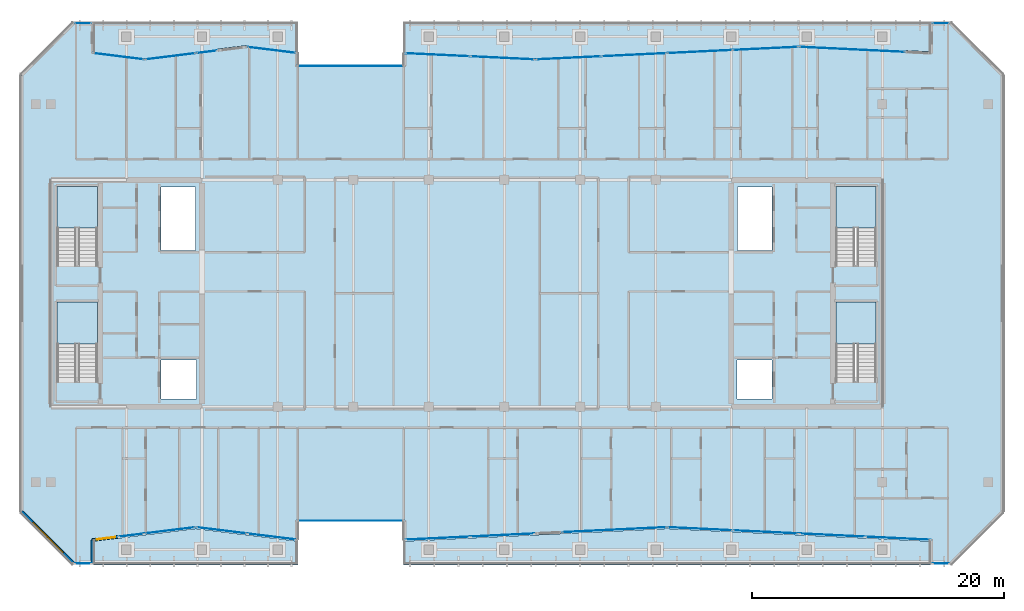
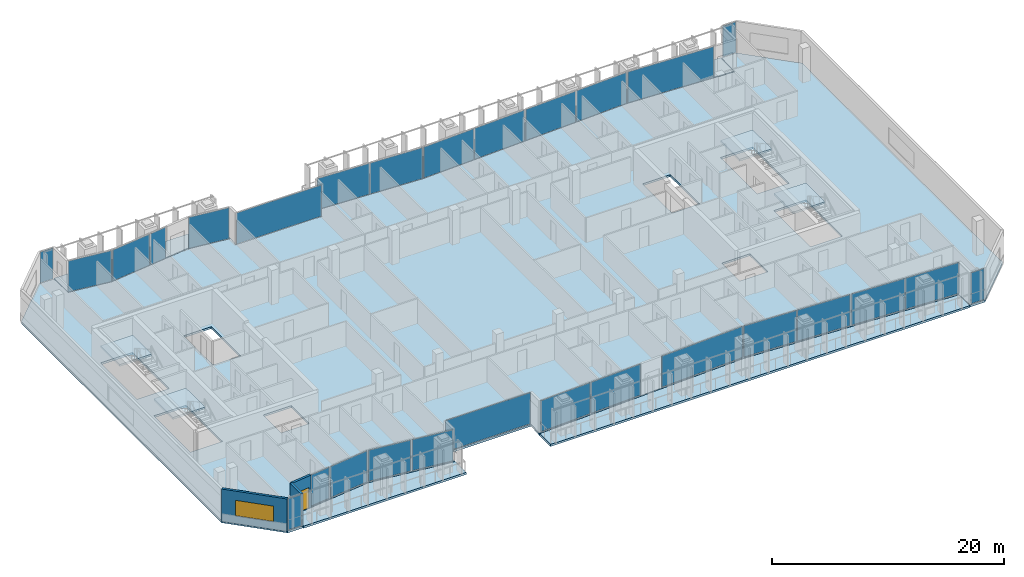
# One storey, part 19 of 31: 28 plates, 9 slabs, 3 walls, 1 door, 1 window, 2 openings, 26 elements without a shape of their own.
"""IFC4 building model written with IfcOpenShell, lengths in metres."""

from ifc_helpers import new_model, si_unit, direction, frame, frame_2d, origin, origin_2d, place, context, subcontext, project, spatial, polyline, rectangle, outline, extrude, material, layer, layer_set, type_object, element, fill, aggregate, save


model = new_model("IFC4")

# Units and contexts
model_context = context("Model", 3, precision=1e-05, world=origin(), true_north=direction((0.0, 1.0)))
body_context = subcontext(model_context, "Body", "Model", "MODEL_VIEW")
ifc_project = project(units=[si_unit("LENGTHUNIT", "METRE"), si_unit("AREAUNIT", "SQUARE_METRE"), si_unit("VOLUMEUNIT", "CUBIC_METRE"), si_unit("PLANEANGLEUNIT", "RADIAN"), si_unit("MASSUNIT", "GRAM", prefix="KILO")], contexts=[model_context])

# Site, building, storey
site_placement = place(None, origin())
site = spatial("IfcSite", under=ifc_project, at=site_placement, CompositionType="ELEMENT")
building_placement = place(site_placement, origin())
building = spatial("IfcBuilding", under=site, at=building_placement, Name="Tanjung Sevakor Pilgrim Tower", CompositionType="ELEMENT")
storey_placement = place(building_placement, frame((0.0, 0.0, 208.22998046875)))
storey = spatial("IfcBuildingStorey", under=building, at=storey_placement, Name="L58", CompositionType="ELEMENT", Elevation=208.22998046875)

# Stair, slab
ifc_material_1 = material(Name="Concrete C40/50", Category="concrete")
stair_type = type_object("IfcStairType", Name="STAIR-ST-CR150", PredefinedType="HALF_TURN_STAIR", material=ifc_material_1)
stair_1_placement = place(storey_placement, origin())
stair_1 = element("IfcStair", 1, at=stair_1_placement, inside=storey, type_object=stair_type, Name="L58 West Core Exit Stair 1", PredefinedType="HALF_TURN_STAIR")
ifc_material_2 = material(Name="Concrete C40/50", Category="concrete")
ifc_layer_1 = layer(ifc_material_2, 0.199951171875)
ifc_layer_set_1 = layer_set([ifc_layer_1], Name="SL-LAND-200")
slab_type_1 = type_object("IfcSlabType", Name="SL-LAND-200", PredefinedType="LANDING", material=ifc_layer_set_1)
slab_1_placement = place(storey_placement, frame((0.0, 0.0, 1.614990234375)))
slab_1 = element("IfcSlab", 2, at=slab_1_placement, type_object=slab_type_1, Name="TS-W1 landing 1", PredefinedType="LANDING", context=body_context, shape_type="SweptSolid", body=[
    extrude(outline(polyline([(27.699951171875, 29.60009765625), (27.699951171875, 32.89990234375), (24.5, 32.89990234375), (24.5, 29.60009765625), (27.699951171875, 29.60009765625)])), origin(), (0.0, 0.0, 1.0), 0.199951171875),
])
aggregate(stair_1, [slab_1])

stair_2_placement = place(storey_placement, origin())
stair_2 = element("IfcStair", 3, at=stair_2_placement, inside=storey, type_object=stair_type, Name="L58 West Core Exit Stair 2", PredefinedType="HALF_TURN_STAIR")
slab_2_placement = place(storey_placement, frame((0.0, 0.0, 1.614990234375)))
slab_2 = element("IfcSlab", 4, at=slab_2_placement, type_object=slab_type_1, Name="TS-W2 landing 1", PredefinedType="LANDING", context=body_context, shape_type="SweptSolid", body=[
    extrude(outline(polyline([(27.699951171875, 38.800048828125), (27.699951171875, 42.10009765625), (24.5, 42.10009765625), (24.5, 38.800048828125), (27.699951171875, 38.800048828125)])), origin(), (0.0, 0.0, 1.0), 0.199951171875),
])
aggregate(stair_2, [slab_2])

stair_3_placement = place(storey_placement, origin())
stair_3 = element("IfcStair", 5, at=stair_3_placement, inside=storey, type_object=stair_type, Name="L58 East Core Exit Stair 1", PredefinedType="HALF_TURN_STAIR")
slab_3_placement = place(storey_placement, frame((0.0, 0.0, 1.614990234375)))
slab_3 = element("IfcSlab", 6, at=slab_3_placement, type_object=slab_type_1, Name="TS-E1 landing 1", PredefinedType="LANDING", context=body_context, shape_type="SweptSolid", body=[
    extrude(outline(polyline([(89.5, 29.60009765625), (89.5, 32.89990234375), (86.300048828125, 32.89990234375), (86.300048828125, 29.60009765625), (89.5, 29.60009765625)])), origin(), (0.0, 0.0, 1.0), 0.199951171875),
])
aggregate(stair_3, [slab_3])

stair_4_placement = place(storey_placement, origin())
stair_4 = element("IfcStair", 7, at=stair_4_placement, inside=storey, type_object=stair_type, Name="L58 East Core Exit Stair 2", PredefinedType="HALF_TURN_STAIR")
slab_4_placement = place(storey_placement, frame((0.0, 0.0, 1.614990234375)))
slab_4 = element("IfcSlab", 8, at=slab_4_placement, type_object=slab_type_1, Name="TS-E2 landing 1", PredefinedType="LANDING", context=body_context, shape_type="SweptSolid", body=[
    extrude(outline(polyline([(89.5, 38.800048828125), (89.5, 42.10009765625), (86.300048828125, 42.10009765625), (86.300048828125, 38.800048828125), (89.5, 38.800048828125)])), origin(), (0.0, 0.0, 1.0), 0.199951171875),
])
aggregate(stair_4, [slab_4])

# Slabs
ifc_material_3 = material(Name="Concrete C40/50", Category="concrete")
ifc_layer_2 = layer(ifc_material_3, 0.239990234375)
ifc_layer_set_2 = layer_set([ifc_layer_2], Name="SL-TER-240")
slab_type_2 = type_object("IfcSlabType", Name="SL-TER-240", PredefinedType="FLOOR", material=ifc_layer_set_2)
slab_5_placement = place(storey_placement, frame((0.0, 0.0, -0.219970703125)))
element("IfcSlab", 9, at=slab_5_placement, inside=storey, type_object=slab_type_2, Name="L58 Recessed S-Curve Terrace SW", PredefinedType="FLOOR", context=body_context, shape_type="SweptSolid", body=[
    extrude(outline(polyline([(27.39990234375, 12.050048828125), (43.60009765625, 12.050048828125), (43.60009765625, 13.929931640625), (39.550048828125, 14.429931640625), (35.5, 14.929931640625), (31.449951171875, 14.429931640625), (27.39990234375, 13.929931640625), (27.39990234375, 12.050048828125)])), origin(), (0.0, 0.0, 1.0), 0.219970703125),
])
slab_6_placement = place(storey_placement, frame((0.0, 0.0, -0.219970703125)))
element("IfcSlab", 10, at=slab_6_placement, inside=storey, type_object=slab_type_2, Name="L58 Recessed S-Curve Terrace NW", PredefinedType="FLOOR", context=body_context, shape_type="SweptSolid", body=[
    extrude(outline(polyline([(27.39990234375, 52.77001953125), (31.449951171875, 52.27001953125), (35.5, 52.77001953125), (39.550048828125, 53.27001953125), (43.60009765625, 52.77001953125), (43.60009765625, 55.14990234375), (27.39990234375, 55.14990234375), (27.39990234375, 52.77001953125)])), origin(), (0.0, 0.0, 1.0), 0.219970703125),
])
slab_7_placement = place(storey_placement, frame((0.0, 0.0, -0.219970703125)))
element("IfcSlab", 11, at=slab_7_placement, inside=storey, type_object=slab_type_2, Name="L58 Recessed S-Curve Terrace SE", PredefinedType="FLOOR", context=body_context, shape_type="SweptSolid", body=[
    extrude(outline(polyline([(52.0, 12.050048828125), (93.800048828125, 12.050048828125), (93.800048828125, 13.929931640625), (83.35009765625, 14.429931640625), (72.89990234375, 14.929931640625), (62.449951171875, 14.429931640625), (52.0, 13.929931640625), (52.0, 12.050048828125)])), origin(), (0.0, 0.0, 1.0), 0.219970703125),
])
slab_8_placement = place(storey_placement, frame((0.0, 0.0, -0.219970703125)))
element("IfcSlab", 12, at=slab_8_placement, inside=storey, type_object=slab_type_2, Name="L58 Recessed S-Curve Terrace NE", PredefinedType="FLOOR", context=body_context, shape_type="SweptSolid", body=[
    extrude(outline(polyline([(52.0, 52.77001953125), (62.449951171875, 52.27001953125), (72.89990234375, 52.77001953125), (83.35009765625, 53.27001953125), (93.800048828125, 52.77001953125), (93.800048828125, 55.14990234375), (52.0, 55.14990234375), (52.0, 52.77001953125)])), origin(), (0.0, 0.0, 1.0), 0.219970703125),
])
ifc_material_4 = material(Name="Concrete C40/50", Category="concrete")
ifc_layer_3 = layer(ifc_material_4, 0.219970703125)
ifc_layer_set_3 = layer_set([ifc_layer_3], Name="SL-TWR-220")
slab_type_3 = type_object("IfcSlabType", Name="SL-TWR-220", PredefinedType="FLOOR", material=ifc_layer_set_3)
slab_9_placement = place(storey_placement, frame((0.0, 0.0, -0.219970703125)))
element("IfcSlab", 13, at=slab_9_placement, inside=storey, type_object=slab_type_3, Name="L58 Floor Slab MAIN", PredefinedType="FLOOR", context=body_context, shape_type="SweptSolid", body=[
    extrude(outline(polyline([(25.846923828125, 12.1298828125), (27.320068359375, 12.1298828125), (27.39990234375, 14.010009765625), (31.449951171875, 14.510009765625), (35.5, 15.010009765625), (39.550048828125, 14.510009765625), (43.60009765625, 14.010009765625), (43.52001953125, 15.530029296875), (52.080078125, 15.530029296875), (52.0, 14.010009765625), (62.449951171875, 14.510009765625), (72.89990234375, 15.010009765625), (83.35009765625, 14.510009765625), (93.800048828125, 14.010009765625), (93.8798828125, 12.1298828125), (95.35302734375, 12.1298828125), (99.52001953125, 16.296875), (99.52001953125, 50.903076171875), (95.35302734375, 55.070068359375), (93.8798828125, 55.070068359375), (93.800048828125, 52.68994140625), (83.35009765625, 53.18994140625), (72.89990234375, 52.68994140625), (62.449951171875, 52.18994140625), (52.0, 52.68994140625), (52.080078125, 51.669921875), (43.52001953125, 51.669921875), (43.60009765625, 52.68994140625), (39.550048828125, 53.18994140625), (35.5, 52.68994140625), (31.449951171875, 52.18994140625), (27.39990234375, 52.68994140625), (27.320068359375, 55.070068359375), (25.846923828125, 55.070068359375), (21.679931640625, 50.903076171875), (21.679931640625, 16.296875), (25.846923828125, 12.1298828125)]), holes=[polyline([(27.699951171875, 26.60009765625), (27.699951171875, 32.89990234375), (24.5, 32.89990234375), (24.5, 26.60009765625), (27.699951171875, 26.60009765625)]), polyline([(27.699951171875, 35.800048828125), (27.699951171875, 42.10009765625), (24.5, 42.10009765625), (24.5, 35.800048828125), (27.699951171875, 35.800048828125)]), polyline([(89.5, 26.60009765625), (89.5, 32.89990234375), (86.300048828125, 32.89990234375), (86.300048828125, 26.60009765625), (89.5, 26.60009765625)]), polyline([(89.5, 35.800048828125), (89.5, 42.10009765625), (86.300048828125, 42.10009765625), (86.300048828125, 35.800048828125), (89.5, 35.800048828125)]), polyline([(32.75, 25.199951171875), (35.550048828125, 25.199951171875), (35.550048828125, 28.300048828125), (32.75, 28.300048828125), (32.75, 25.199951171875)]), polyline([(32.75, 37.0), (35.5, 37.0), (35.5, 42.050048828125), (32.75, 42.050048828125), (32.75, 37.0)]), polyline([(78.449951171875, 25.199951171875), (81.25, 25.199951171875), (81.25, 28.300048828125), (78.449951171875, 28.300048828125), (78.449951171875, 25.199951171875)]), polyline([(78.5, 37.0), (81.25, 37.0), (81.25, 42.050048828125), (78.5, 42.050048828125), (78.5, 37.0)])]), origin(), (0.0, 0.0, 1.0), 0.219970703125),
])

# Curtain wall, plate
ifc_material_5 = material(Name="Aluminium 6063-T6 and Low-E Glass", Category="aluminium")
ifc_layer_4 = layer(ifc_material_5, 0.179931640625)
ifc_layer_set_4 = layer_set([ifc_layer_4], Name="CW-SYS-CLEFT")
curtain_wall_type_1 = type_object("IfcCurtainWallType", Name="CW-SYS-CLEFT", PredefinedType="NOTDEFINED", material=ifc_layer_set_4)
curtain_wall_1_placement = place(storey_placement, origin())
curtain_wall_1 = element("IfcCurtainWall", 14, at=curtain_wall_1_placement, inside=storey, type_object=curtain_wall_type_1, Name="L58 Curtain Wall CW-CLF-L58-7", PredefinedType="NOTDEFINED")
ifc_material_6 = material(Name="Laminated Low-E Double Glazing", Category="glass")
ifc_layer_5 = layer(ifc_material_6, 0.028076171875)
ifc_layer_set_5 = layer_set([ifc_layer_5], Name="TYPE-CWP-GLZ1")
plate_type_1 = type_object("IfcPlateType", Name="TYPE-CWP-GLZ1", PredefinedType="CURTAIN_PANEL", material=ifc_layer_set_5)
plate_1_placement = place(storey_placement, frame((47.800048828125, 15.56005859375, 0.06494140625), z_axis=(0.0, 0.0, 1.0), x_axis=(1.0, 0.0, 0.0)))
plate_1 = element("IfcPlate", 15, at=plate_1_placement, type_object=plate_type_1, Name="CW-CLF panel 1.1", PredefinedType="CURTAIN_PANEL", context=body_context, shape_type="SweptSolid", body=[
    extrude(rectangle(XDim=8.469970703125, YDim=0.028076171875, at=origin_2d()), origin(), (0.0, 0.0, 1.0), 3.280029296875),
])
aggregate(curtain_wall_1, [plate_1])

curtain_wall_2_placement = place(storey_placement, origin())
curtain_wall_2 = element("IfcCurtainWall", 16, at=curtain_wall_2_placement, inside=storey, type_object=curtain_wall_type_1, Name="L58 Curtain Wall CW-CLF-L58-25", PredefinedType="NOTDEFINED")
plate_2_placement = place(storey_placement, frame((47.800048828125, 51.639892578125, 0.06494140625), z_axis=(0.0, 0.0, 1.0), x_axis=(-1.0, 0.0, 0.0)))
plate_2 = element("IfcPlate", 17, at=plate_2_placement, type_object=plate_type_1, Name="CW-CLF panel 1.1", PredefinedType="CURTAIN_PANEL", context=body_context, shape_type="SweptSolid", body=[
    extrude(rectangle(XDim=8.469970703125, YDim=0.028076171875, at=origin_2d()), origin(), (0.0, 0.0, 1.0), 3.280029296875),
])
aggregate(curtain_wall_2, [plate_2])

ifc_material_7 = material(Name="Aluminium 6063-T6 and Low-E Glass", Category="aluminium")
ifc_layer_6 = layer(ifc_material_7, 0.199951171875)
ifc_layer_set_6 = layer_set([ifc_layer_6], Name="CW-SYS-PRAY")
curtain_wall_type_2 = type_object("IfcCurtainWallType", Name="CW-SYS-PRAY", PredefinedType="NOTDEFINED", material=ifc_layer_set_6)
curtain_wall_3_placement = place(storey_placement, origin())
curtain_wall_3 = element("IfcCurtainWall", 18, at=curtain_wall_3_placement, inside=storey, type_object=curtain_wall_type_2, Name="L58 Curtain Wall CW-PRY-L58-0", PredefinedType="NOTDEFINED")
ifc_material_8 = material(Name="Solar-Control Low-E Acoustic Glazing", Category="glass")
ifc_layer_7 = layer(ifc_material_8, 0.031982421875)
ifc_layer_set_7 = layer_set([ifc_layer_7], Name="TYPE-CWP-GLZ2")
plate_type_2 = type_object("IfcPlateType", Name="TYPE-CWP-GLZ2", PredefinedType="CURTAIN_PANEL", material=ifc_layer_set_7)
plate_3_placement = place(storey_placement, frame((26.56787109375, 12.159912109375, 0.0751953125), z_axis=(0.0, 0.0, 1.0), x_axis=(1.0, 0.0, 0.0)))
plate_3 = element("IfcPlate", 19, at=plate_3_placement, type_object=plate_type_2, Name="CW-PRY panel 1.1", PredefinedType="CURTAIN_PANEL", context=body_context, shape_type="SweptSolid", body=[
    extrude(rectangle(XDim=1.29443359375, YDim=0.031982421875, at=origin_2d()), origin(), (0.0, 0.0, 1.0), 3.260009765625),
])
aggregate(curtain_wall_3, [plate_3])

curtain_wall_4_placement = place(storey_placement, origin())
curtain_wall_4 = element("IfcCurtainWall", 20, at=curtain_wall_4_placement, inside=storey, type_object=curtain_wall_type_2, Name="L58 Curtain Wall CW-PRY-L58-2B", PredefinedType="NOTDEFINED")
plate_4_placement = place(storey_placement, frame((30.385498046875, 14.409423828125, 0.0751953125), z_axis=(0.0, 0.0, 1.0), x_axis=(0.992465587634, 0.122523701225, 0.0)))
plate_4 = element("IfcPlate", 21, at=plate_4_placement, type_object=plate_type_2, Name="CW-PRY panel 1.1", PredefinedType="CURTAIN_PANEL", context=body_context, shape_type="SweptSolid", body=[
    extrude(rectangle(XDim=1.968017578125, YDim=0.031982421875, at=origin_2d()), origin(), (0.0, 0.0, 1.0), 3.260009765625),
])
aggregate(curtain_wall_4, [plate_4])

curtain_wall_5_placement = place(storey_placement, origin())
curtain_wall_5 = element("IfcCurtainWall", 22, at=curtain_wall_5_placement, inside=storey, type_object=curtain_wall_type_2, Name="L58 Curtain Wall CW-PRY-L58-3", PredefinedType="NOTDEFINED")
plate_5_placement = place(storey_placement, frame((33.46826171875, 14.7900390625, 0.0751953125), z_axis=(0.0, 0.0, 1.0), x_axis=(0.992467213116, 0.122510533794, 0.0)))
plate_5 = element("IfcPlate", 23, at=plate_5_placement, type_object=plate_type_2, Name="CW-PRY panel 1.1", PredefinedType="CURTAIN_PANEL", context=body_context, shape_type="SweptSolid", body=[
    extrude(rectangle(XDim=3.9443359375, YDim=0.031982421875, at=origin_2d()), origin(), (0.0, 0.0, 1.0), 3.260009765625),
])
aggregate(curtain_wall_5, [plate_5])

curtain_wall_6_placement = place(storey_placement, origin())
curtain_wall_6 = element("IfcCurtainWall", 24, at=curtain_wall_6_placement, inside=storey, type_object=curtain_wall_type_2, Name="L58 Curtain Wall CW-PRY-L58-4", PredefinedType="NOTDEFINED")
plate_6_placement = place(storey_placement, frame((37.53173828125, 14.7900390625, 0.0751953125), z_axis=(0.0, 0.0, 1.0), x_axis=(0.992467213116, -0.122510533794, 0.0)))
plate_6 = element("IfcPlate", 25, at=plate_6_placement, type_object=plate_type_2, Name="CW-PRY panel 1.1", PredefinedType="CURTAIN_PANEL", context=body_context, shape_type="SweptSolid", body=[
    extrude(rectangle(XDim=3.9443359375, YDim=0.031982421875, at=origin_2d()), origin(), (0.0, 0.0, 1.0), 3.260009765625),
])
aggregate(curtain_wall_6, [plate_6])

curtain_wall_7_placement = place(storey_placement, origin())
curtain_wall_7 = element("IfcCurtainWall", 26, at=curtain_wall_7_placement, inside=storey, type_object=curtain_wall_type_2, Name="L58 Curtain Wall CW-PRY-L58-5", PredefinedType="NOTDEFINED")
plate_7_placement = place(storey_placement, frame((41.52685546875, 14.296875, 0.0751953125), z_axis=(0.0, 0.0, 1.0), x_axis=(0.992463791194, -0.122538251863, 0.0)))
plate_7 = element("IfcPlate", 27, at=plate_7_placement, type_object=plate_type_2, Name="CW-PRY panel 1.1", PredefinedType="CURTAIN_PANEL", context=body_context, shape_type="SweptSolid", body=[
    extrude(rectangle(XDim=3.806396484375, YDim=0.031982421875, at=origin_2d()), origin(), (0.0, 0.0, 1.0), 3.260009765625),
])
aggregate(curtain_wall_7, [plate_7])

# Curtain wall, plates
curtain_wall_8_placement = place(storey_placement, origin())
curtain_wall_8 = element("IfcCurtainWall", 28, at=curtain_wall_8_placement, inside=storey, type_object=curtain_wall_type_2, Name="L58 Curtain Wall CW-PRY-L58-9", PredefinedType="NOTDEFINED")
plate_8_placement = place(storey_placement, frame((54.71240234375, 14.169921875, 0.0751953125), z_axis=(0.0, 0.0, 1.0), x_axis=(0.99885722193, 0.047793830125, 0.0)))
plate_8 = element("IfcPlate", 29, at=plate_8_placement, type_object=plate_type_2, Name="CW-PRY panel 1.1", PredefinedType="CURTAIN_PANEL", context=body_context, shape_type="SweptSolid", body=[
    extrude(rectangle(XDim=5.060791015625, YDim=0.031982421875, at=origin_2d()), origin(), (0.0, 0.0, 1.0), 3.260009765625),
])
plate_9_placement = place(storey_placement, frame((59.84228515625, 14.415283203125, 0.0751953125), z_axis=(0.0, 0.0, 1.0), x_axis=(0.99885722193, 0.047793830125, 0.0)))
plate_9 = element("IfcPlate", 30, at=plate_9_placement, type_object=plate_type_2, Name="CW-PRY panel 2.1", PredefinedType="CURTAIN_PANEL", context=body_context, shape_type="SweptSolid", body=[
    extrude(rectangle(XDim=5.060791015625, YDim=0.031982421875, at=origin_2d()), origin(), (0.0, 0.0, 1.0), 3.260009765625),
])
aggregate(curtain_wall_8, [plate_8, plate_9])

# Curtain wall, plate
curtain_wall_9_placement = place(storey_placement, origin())
curtain_wall_9 = element("IfcCurtainWall", 31, at=curtain_wall_9_placement, inside=storey, type_object=curtain_wall_type_2, Name="L58 Curtain Wall CW-PRY-L58-10B", PredefinedType="NOTDEFINED")
plate_10_placement = place(storey_placement, frame((68.701171875, 14.839111328125, 0.0751953125), z_axis=(0.0, 0.0, 1.0), x_axis=(0.998857320931, 0.047791761031, 0.0)))
plate_10 = element("IfcPlate", 32, at=plate_10_placement, type_object=plate_type_2, Name="CW-PRY panel 1.1", PredefinedType="CURTAIN_PANEL", context=body_context, shape_type="SweptSolid", body=[
    extrude(rectangle(XDim=8.25732421875, YDim=0.031982421875, at=origin_2d()), origin(), (0.0, 0.0, 1.0), 3.260009765625),
])
aggregate(curtain_wall_9, [plate_10])

# Curtain wall, plates
curtain_wall_10_placement = place(storey_placement, origin())
curtain_wall_10 = element("IfcCurtainWall", 33, at=curtain_wall_10_placement, inside=storey, type_object=curtain_wall_type_2, Name="L58 Curtain Wall CW-PRY-L58-11", PredefinedType="NOTDEFINED")
plate_11_placement = place(storey_placement, frame((75.532470703125, 14.9140625, 0.0751953125), z_axis=(0.0, 0.0, 1.0), x_axis=(0.998857543583, -0.047787107337, 0.0)))
plate_11 = element("IfcPlate", 34, at=plate_11_placement, type_object=plate_type_2, Name="CW-PRY panel 1.1", PredefinedType="CURTAIN_PANEL", context=body_context, shape_type="SweptSolid", body=[
    extrude(rectangle(XDim=5.12109375, YDim=0.031982421875, at=origin_2d()), origin(), (0.0, 0.0, 1.0), 3.260009765625),
])
plate_12_placement = place(storey_placement, frame((80.72265625, 14.665771484375, 0.0751953125), z_axis=(0.0, 0.0, 1.0), x_axis=(0.998857543583, -0.047787107337, 0.0)))
plate_12 = element("IfcPlate", 35, at=plate_12_placement, type_object=plate_type_2, Name="CW-PRY panel 2.1", PredefinedType="CURTAIN_PANEL", context=body_context, shape_type="SweptSolid", body=[
    extrude(rectangle(XDim=5.12109375, YDim=0.031982421875, at=origin_2d()), origin(), (0.0, 0.0, 1.0), 3.260009765625),
])
aggregate(curtain_wall_10, [plate_11, plate_12])

curtain_wall_11_placement = place(storey_placement, origin())
curtain_wall_11 = element("IfcCurtainWall", 36, at=curtain_wall_11_placement, inside=storey, type_object=curtain_wall_type_2, Name="L58 Curtain Wall CW-PRY-L58-12", PredefinedType="NOTDEFINED")
plate_13_placement = place(storey_placement, frame((86.0126953125, 14.412841796875, 0.0751953125), z_axis=(0.0, 0.0, 1.0), x_axis=(0.998857342428, -0.047791311738, 0.0)))
plate_13 = element("IfcPlate", 37, at=plate_13_placement, type_object=plate_type_2, Name="CW-PRY panel 1.1", PredefinedType="CURTAIN_PANEL", context=body_context, shape_type="SweptSolid", body=[
    extrude(rectangle(XDim=5.1708984375, YDim=0.031982421875, at=origin_2d()), origin(), (0.0, 0.0, 1.0), 3.260009765625),
])
plate_14_placement = place(storey_placement, frame((91.252685546875, 14.162109375, 0.0751953125), z_axis=(0.0, 0.0, 1.0), x_axis=(0.998857342428, -0.047791311738, 0.0)))
plate_14 = element("IfcPlate", 38, at=plate_14_placement, type_object=plate_type_2, Name="CW-PRY panel 2.1", PredefinedType="CURTAIN_PANEL", context=body_context, shape_type="SweptSolid", body=[
    extrude(rectangle(XDim=5.1708984375, YDim=0.031982421875, at=origin_2d()), origin(), (0.0, 0.0, 1.0), 3.260009765625),
])
aggregate(curtain_wall_11, [plate_13, plate_14])

# Curtain wall, plate
curtain_wall_12_placement = place(storey_placement, origin())
curtain_wall_12 = element("IfcCurtainWall", 39, at=curtain_wall_12_placement, inside=storey, type_object=curtain_wall_type_2, Name="L58 Curtain Wall CW-PRY-L58-14", PredefinedType="NOTDEFINED")
plate_15_placement = place(storey_placement, frame((94.632080078125, 12.159912109375, 0.0751953125), z_axis=(0.0, 0.0, 1.0), x_axis=(1.0, 0.0, 0.0)))
plate_15 = element("IfcPlate", 40, at=plate_15_placement, type_object=plate_type_2, Name="CW-PRY panel 1.1", PredefinedType="CURTAIN_PANEL", context=body_context, shape_type="SweptSolid", body=[
    extrude(rectangle(XDim=1.29443359375, YDim=0.031982421875, at=origin_2d()), origin(), (0.0, 0.0, 1.0), 3.260009765625),
])
aggregate(curtain_wall_12, [plate_15])

curtain_wall_13_placement = place(storey_placement, origin())
curtain_wall_13 = element("IfcCurtainWall", 41, at=curtain_wall_13_placement, inside=storey, type_object=curtain_wall_type_2, Name="L58 Curtain Wall CW-PRY-L58-18", PredefinedType="NOTDEFINED")
plate_16_placement = place(storey_placement, frame((94.632080078125, 55.0400390625, 0.0751953125), z_axis=(0.0, 0.0, 1.0), x_axis=(-1.0, 0.0, 0.0)))
plate_16 = element("IfcPlate", 42, at=plate_16_placement, type_object=plate_type_2, Name="CW-PRY panel 1.1", PredefinedType="CURTAIN_PANEL", context=body_context, shape_type="SweptSolid", body=[
    extrude(rectangle(XDim=1.29443359375, YDim=0.031982421875, at=origin_2d()), origin(), (0.0, 0.0, 1.0), 3.260009765625),
])
aggregate(curtain_wall_13, [plate_16])

curtain_wall_14_placement = place(storey_placement, origin())
curtain_wall_14 = element("IfcCurtainWall", 43, at=curtain_wall_14_placement, inside=storey, type_object=curtain_wall_type_2, Name="L58 Curtain Wall CW-PRY-L58-20B", PredefinedType="NOTDEFINED")
plate_17_placement = place(storey_placement, frame((87.601318359375, 52.95654296875, 0.0751953125), z_axis=(0.0, 0.0, 1.0), x_axis=(-0.998857374329, 0.047790644983, 0.0)))
plate_17 = element("IfcPlate", 44, at=plate_17_placement, type_object=plate_type_2, Name="CW-PRY panel 1.1", PredefinedType="CURTAIN_PANEL", context=body_context, shape_type="SweptSolid", body=[
    extrude(rectangle(XDim=8.362060546875, YDim=0.031982421875, at=origin_2d()), origin(), (0.0, 0.0, 1.0), 3.260009765625),
])
aggregate(curtain_wall_14, [plate_17])

# Curtain wall, plates
curtain_wall_15_placement = place(storey_placement, origin())
curtain_wall_15 = element("IfcCurtainWall", 45, at=curtain_wall_15_placement, inside=storey, type_object=curtain_wall_type_2, Name="L58 Curtain Wall CW-PRY-L58-21", PredefinedType="NOTDEFINED")
plate_18_placement = place(storey_placement, frame((80.72021484375, 53.033935546875, 0.0751953125), z_axis=(0.0, 0.0, 1.0), x_axis=(-0.998857054537, -0.047797328387, 0.0)))
plate_18 = element("IfcPlate", 46, at=plate_18_placement, type_object=plate_type_2, Name="CW-PRY panel 1.1", PredefinedType="CURTAIN_PANEL", context=body_context, shape_type="SweptSolid", body=[
    extrude(rectangle(XDim=5.11572265625, YDim=0.031982421875, at=origin_2d()), origin(), (0.0, 0.0, 1.0), 3.260009765625),
])
plate_19_placement = place(storey_placement, frame((75.53515625, 52.785888671875, 0.0751953125), z_axis=(0.0, 0.0, 1.0), x_axis=(-0.998857054537, -0.047797328387, 0.0)))
plate_19 = element("IfcPlate", 47, at=plate_19_placement, type_object=plate_type_2, Name="CW-PRY panel 2.1", PredefinedType="CURTAIN_PANEL", context=body_context, shape_type="SweptSolid", body=[
    extrude(rectangle(XDim=5.11572265625, YDim=0.031982421875, at=origin_2d()), origin(), (0.0, 0.0, 1.0), 3.260009765625),
])
aggregate(curtain_wall_15, [plate_18, plate_19])

curtain_wall_16_placement = place(storey_placement, origin())
curtain_wall_16 = element("IfcCurtainWall", 48, at=curtain_wall_16_placement, inside=storey, type_object=curtain_wall_type_2, Name="L58 Curtain Wall CW-PRY-L58-22", PredefinedType="NOTDEFINED")
plate_20_placement = place(storey_placement, frame((70.272705078125, 52.5341796875, 0.0751953125), z_axis=(0.0, 0.0, 1.0), x_axis=(-0.998857543583, -0.047787107337, 0.0)))
plate_20 = element("IfcPlate", 49, at=plate_20_placement, type_object=plate_type_2, Name="CW-PRY panel 1.1", PredefinedType="CURTAIN_PANEL", context=body_context, shape_type="SweptSolid", body=[
    extrude(rectangle(XDim=5.12109375, YDim=0.031982421875, at=origin_2d()), origin(), (0.0, 0.0, 1.0), 3.260009765625),
])
plate_21_placement = place(storey_placement, frame((65.08251953125, 52.285888671875, 0.0751953125), z_axis=(0.0, 0.0, 1.0), x_axis=(-0.998857543583, -0.047787107337, 0.0)))
plate_21 = element("IfcPlate", 50, at=plate_21_placement, type_object=plate_type_2, Name="CW-PRY panel 2.1", PredefinedType="CURTAIN_PANEL", context=body_context, shape_type="SweptSolid", body=[
    extrude(rectangle(XDim=5.12109375, YDim=0.031982421875, at=origin_2d()), origin(), (0.0, 0.0, 1.0), 3.260009765625),
])
aggregate(curtain_wall_16, [plate_20, plate_21])

curtain_wall_17_placement = place(storey_placement, origin())
curtain_wall_17 = element("IfcCurtainWall", 51, at=curtain_wall_17_placement, inside=storey, type_object=curtain_wall_type_2, Name="L58 Curtain Wall CW-PRY-L58-23", PredefinedType="NOTDEFINED")
plate_22_placement = place(storey_placement, frame((59.84619140625, 52.284423828125, 0.0751953125), z_axis=(0.0, 0.0, 1.0), x_axis=(-0.998857469088, 0.047788664414, 0.0)))
plate_22 = element("IfcPlate", 52, at=plate_22_placement, type_object=plate_type_2, Name="CW-PRY panel 1.1", PredefinedType="CURTAIN_PANEL", context=body_context, shape_type="SweptSolid", body=[
    extrude(rectangle(XDim=5.0634765625, YDim=0.031982421875, at=origin_2d()), origin(), (0.0, 0.0, 1.0), 3.260009765625),
])
plate_23_placement = place(storey_placement, frame((54.713623046875, 52.530029296875, 0.0751953125), z_axis=(0.0, 0.0, 1.0), x_axis=(-0.998857469088, 0.047788664414, 0.0)))
plate_23 = element("IfcPlate", 53, at=plate_23_placement, type_object=plate_type_2, Name="CW-PRY panel 2.1", PredefinedType="CURTAIN_PANEL", context=body_context, shape_type="SweptSolid", body=[
    extrude(rectangle(XDim=5.0634765625, YDim=0.031982421875, at=origin_2d()), origin(), (0.0, 0.0, 1.0), 3.260009765625),
])
aggregate(curtain_wall_17, [plate_22, plate_23])

# Curtain wall, plate
curtain_wall_18_placement = place(storey_placement, origin())
curtain_wall_18 = element("IfcCurtainWall", 54, at=curtain_wall_18_placement, inside=storey, type_object=curtain_wall_type_2, Name="L58 Curtain Wall CW-PRY-L58-27", PredefinedType="NOTDEFINED")
plate_24_placement = place(storey_placement, frame((41.52001953125, 52.916015625, 0.0751953125), z_axis=(0.0, 0.0, 1.0), x_axis=(-0.992462774964, 0.122546482242, 0.0)))
plate_24 = element("IfcPlate", 55, at=plate_24_placement, type_object=plate_type_2, Name="CW-PRY panel 1.1", PredefinedType="CURTAIN_PANEL", context=body_context, shape_type="SweptSolid", body=[
    extrude(rectangle(XDim=3.81982421875, YDim=0.031982421875, at=origin_2d()), origin(), (0.0, 0.0, 1.0), 3.260009765625),
])
aggregate(curtain_wall_18, [plate_24])

curtain_wall_19_placement = place(storey_placement, origin())
curtain_wall_19 = element("IfcCurtainWall", 56, at=curtain_wall_19_placement, inside=storey, type_object=curtain_wall_type_2, Name="L58 Curtain Wall CW-PRY-L58-28B", PredefinedType="NOTDEFINED")
plate_25_placement = place(storey_placement, frame((36.385498046875, 52.7685546875, 0.0751953125), z_axis=(0.0, 0.0, 1.0), x_axis=(-0.992464976904, -0.122528648154, 0.0)))
plate_25 = element("IfcPlate", 57, at=plate_25_placement, type_object=plate_type_2, Name="CW-PRY panel 1.1", PredefinedType="CURTAIN_PANEL", context=body_context, shape_type="SweptSolid", body=[
    extrude(rectangle(XDim=1.607177734375, YDim=0.031982421875, at=origin_2d()), origin(), (0.0, 0.0, 1.0), 3.260009765625),
])
aggregate(curtain_wall_19, [plate_25])

curtain_wall_20_placement = place(storey_placement, origin())
curtain_wall_20 = element("IfcCurtainWall", 58, at=curtain_wall_20_placement, inside=storey, type_object=curtain_wall_type_2, Name="L58 Curtain Wall CW-PRY-L58-29", PredefinedType="NOTDEFINED")
plate_26_placement = place(storey_placement, frame((33.481689453125, 52.409912109375, 0.0751953125), z_axis=(0.0, 0.0, 1.0), x_axis=(-0.992467213116, -0.122510533794, 0.0)))
plate_26 = element("IfcPlate", 59, at=plate_26_placement, type_object=plate_type_2, Name="CW-PRY panel 1.1", PredefinedType="CURTAIN_PANEL", context=body_context, shape_type="SweptSolid", body=[
    extrude(rectangle(XDim=3.9443359375, YDim=0.031982421875, at=origin_2d()), origin(), (0.0, 0.0, 1.0), 3.260009765625),
])
aggregate(curtain_wall_20, [plate_26])

curtain_wall_21_placement = place(storey_placement, origin())
curtain_wall_21 = element("IfcCurtainWall", 60, at=curtain_wall_21_placement, inside=storey, type_object=curtain_wall_type_2, Name="L58 Curtain Wall CW-PRY-L58-30", PredefinedType="NOTDEFINED")
plate_27_placement = place(storey_placement, frame((29.3701171875, 52.416015625, 0.0751953125), z_axis=(0.0, 0.0, 1.0), x_axis=(-0.992467561116, 0.12250771458, 0.0)))
plate_27 = element("IfcPlate", 61, at=plate_27_placement, type_object=plate_type_2, Name="CW-PRY panel 1.1", PredefinedType="CURTAIN_PANEL", context=body_context, shape_type="SweptSolid", body=[
    extrude(rectangle(XDim=4.04150390625, YDim=0.031982421875, at=origin_2d()), origin(), (0.0, 0.0, 1.0), 3.260009765625),
])
aggregate(curtain_wall_21, [plate_27])

curtain_wall_22_placement = place(storey_placement, origin())
curtain_wall_22 = element("IfcCurtainWall", 62, at=curtain_wall_22_placement, inside=storey, type_object=curtain_wall_type_2, Name="L58 Curtain Wall CW-PRY-L58-32", PredefinedType="NOTDEFINED")
plate_28_placement = place(storey_placement, frame((26.56787109375, 55.0400390625, 0.0751953125), z_axis=(0.0, 0.0, 1.0), x_axis=(-1.0, 0.0, 0.0)))
plate_28 = element("IfcPlate", 63, at=plate_28_placement, type_object=plate_type_2, Name="CW-PRY panel 1.1", PredefinedType="CURTAIN_PANEL", context=body_context, shape_type="SweptSolid", body=[
    extrude(rectangle(XDim=1.29443359375, YDim=0.031982421875, at=origin_2d()), origin(), (0.0, 0.0, 1.0), 3.260009765625),
])
aggregate(curtain_wall_22, [plate_28])

# Wall
ifc_material_9 = material(Name="Precast concrete C45/55", Category="concrete")
ifc_layer_8 = layer(ifc_material_9, 0.219970703125)
ifc_layer_set_8 = layer_set([ifc_layer_8], Name="WT-EW-STN4")
wall_type = type_object("IfcWallType", Name="WT-EW-STN4", PredefinedType="SOLIDWALL", material=ifc_layer_set_8)
wall_1_placement = place(storey_placement, frame((27.2900390625, 12.159912109375, 0.0), z_axis=(0.0, 0.0, 1.0), x_axis=(0.0, 1.0, 0.0)))
element("IfcWall", 64, at=wall_1_placement, inside=storey, type_object=wall_type, Name="L58 MAIN Exterior Wall 2", PredefinedType="SOLIDWALL", context=body_context, shape_type="SweptSolid", body=[
    extrude(rectangle(XDim=1.867431640625, YDim=0.219970703125, at=frame_2d((0.93359375, 0.0))), origin(), (0.0, 0.0, 1.0), 3.409912109375),
])

# Wall, opening, door
wall_2_placement = place(storey_placement, frame((27.2900390625, 14.02734375, 0.0), z_axis=(0.0, 0.0, 1.0), x_axis=(0.992462742039, 0.122546748898, 0.0)))
wall_2 = element("IfcWall", 65, at=wall_2_placement, inside=storey, type_object=wall_type, Name="L58 S-Curve Terrace Threshold Wall 2", PredefinedType="SOLIDWALL", context=body_context, shape_type="SweptSolid", body=[
    extrude(rectangle(XDim=2.06005859375, YDim=0.219970703125, at=frame_2d((1.030029296875, 0.0))), origin(), (0.0, 0.0, 1.0), 3.409912109375),
])
opening_1_placement = place(wall_2_placement, frame((0.35009765625, 0.0, 0.0)))
opening_1 = element("IfcOpeningElement", 66, at=opening_1_placement, cuts=wall_2, Name="Opening ED-TER-1500", PredefinedType="OPENING", context=body_context, shape_type="SweptSolid", body=[
    extrude(rectangle(XDim=1.5, YDim=2.199951171875, at=frame_2d((0.75, 1.10009765625))), frame((0.0, 0.119873046875, 0.0), z_axis=(0.0, -1.0, 0.0), x_axis=(1.0, 0.0, 0.0)), (0.0, 0.0, 1.0), 0.239990234375),
])
ifc_material_10 = material(Name="Anodised Aluminium and Laminated Glass", Category="aluminium")
door_type = type_object("IfcDoorType", Name="DTYP-ED-TER-1500", OperationType="DOUBLE_DOOR_SINGLE_SWING", PredefinedType="DOOR", material=ifc_material_10)
door_placement = place(opening_1_placement, frame((1.5, 0.0, 0.0), z_axis=(0.0, 0.0, 1.0), x_axis=(-1.0, 0.0, 0.0)))
door = element("IfcDoor", 67, at=door_placement, inside=storey, type_object=door_type, Name="L58 S-Curve Terrace Access Door 2", OperationType="SINGLE_SWING_LEFT", OverallHeight=2.199951171875, OverallWidth=1.5, PredefinedType="DOOR", context=body_context, shape_type="SweptSolid", body=[
    extrude(rectangle(XDim=1.5, YDim=2.199951171875, at=frame_2d((0.75, 1.10009765625))), frame((0.0, 0.02490234375, 0.0), z_axis=(0.0, -1.0, 0.0), x_axis=(1.0, 0.0, 0.0)), (0.0, 0.0, 1.0), 0.050048828125),
])
fill(opening_1, door)

# Wall, opening, window
wall_3_placement = place(storey_placement, frame((21.7099609375, 16.295654296875, 0.0), z_axis=(0.0, 0.0, 1.0), x_axis=(0.707106781187, -0.707106781187, 0.0)))
wall_3 = element("IfcWall", 68, at=wall_3_placement, inside=storey, type_object=wall_type, Name="L58 MAIN Sculpted Corner Wall 35", PredefinedType="SOLIDWALL", context=body_context, shape_type="SweptSolid", body=[
    extrude(rectangle(XDim=5.848876953125, YDim=0.219970703125, at=frame_2d((2.92431640625, 0.0))), origin(), (0.0, 0.0, 1.0), 3.409912109375),
])
opening_2_placement = place(wall_3_placement, frame((1.224365234375, 0.0, 0.780029296875)))
opening_2 = element("IfcOpeningElement", 69, at=opening_2_placement, cuts=wall_3, Name="Opening WN-CHM-1660", PredefinedType="OPENING", context=body_context, shape_type="SweptSolid", body=[
    extrude(rectangle(XDim=3.39990234375, YDim=1.659912109375, at=frame_2d((1.699951171875, 0.830078125))), frame((0.0, 0.119873046875, 0.0), z_axis=(0.0, -1.0, 0.0), x_axis=(1.0, 0.0, 0.0)), (0.0, 0.0, 1.0), 0.239990234375),
])
ifc_material_11 = material(Name="Thermally Broken Aluminium and Low-E Glass", Category="aluminium")
window_type = type_object("IfcWindowType", Name="WTYP-WN-CHM-1660", PartitioningType="DOUBLE_PANEL_VERTICAL", PredefinedType="WINDOW", material=ifc_material_11)
window_placement = place(opening_2_placement, origin())
window = element("IfcWindow", 70, at=window_placement, inside=storey, type_object=window_type, Name="L58 Facade Window 01", OverallHeight=1.659912109375, OverallWidth=3.39990234375, PartitioningType="SINGLE_PANEL", PredefinedType="WINDOW", context=body_context, shape_type="SweptSolid", body=[
    extrude(rectangle(XDim=3.39990234375, YDim=1.659912109375, at=frame_2d((1.699951171875, 0.830078125))), frame((0.0, 0.030029296875, 0.0), z_axis=(0.0, -1.0, 0.0), x_axis=(1.0, 0.0, 0.0)), (0.0, 0.0, 1.0), 0.06005859375),
])
fill(opening_2, window)

save(model, "model.ifc")
